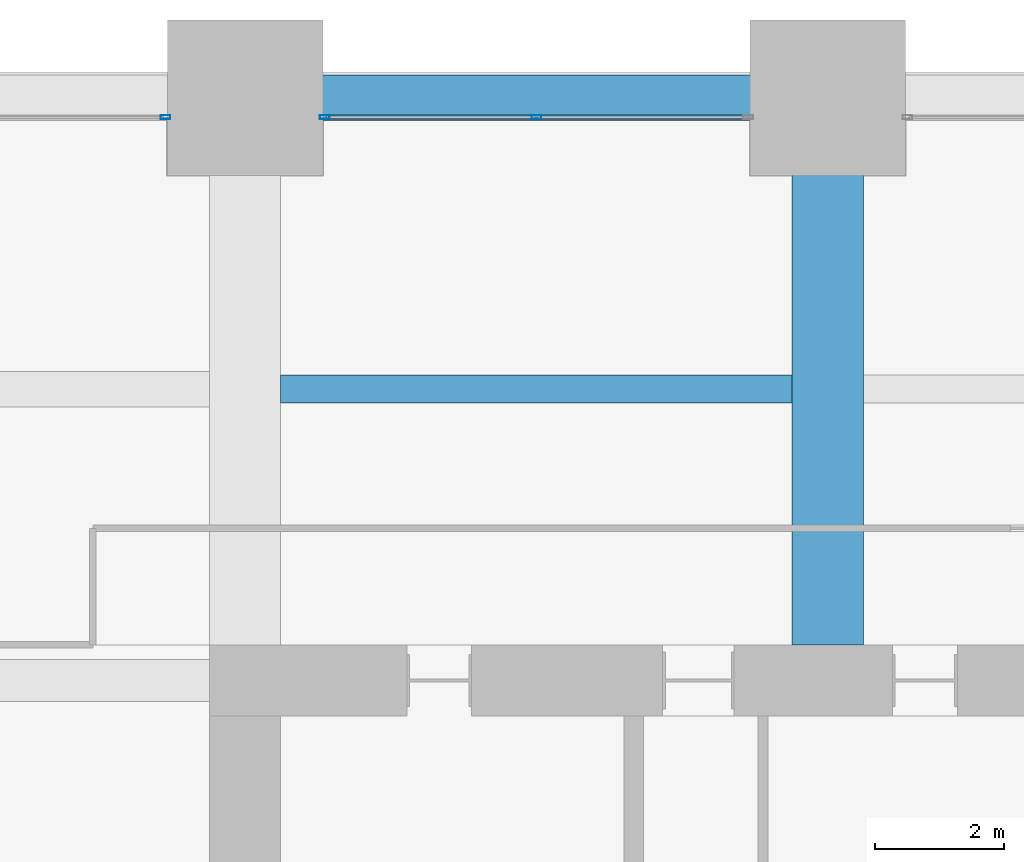
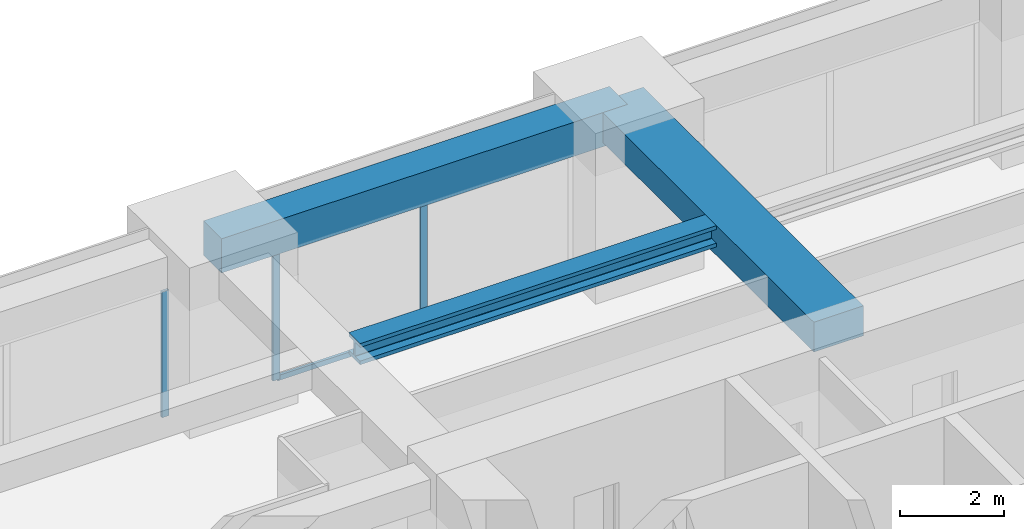
# One storey, part 24 of 34: 4 members, 3 beams, 2 elements without a shape of their own.
"""IFC4 building model written with IfcOpenShell, lengths in metres."""

from ifc_helpers import new_model, si_unit, direction, frame, origin, origin_2d, place, context, subcontext, project, spatial, rectangle, hollow_rectangle, i_section, extrude, material, material_profile, profile_set, type_object, element, aggregate, save


model = new_model("IFC4")

# Units and contexts
model_context = context("Model", 3, precision=1e-05, world=origin(), true_north=direction((0.0, 1.0)))
body_context = subcontext(model_context, "Body", "Model", "MODEL_VIEW")
ifc_project = project(units=[si_unit("LENGTHUNIT", "METRE"), si_unit("AREAUNIT", "SQUARE_METRE"), si_unit("VOLUMEUNIT", "CUBIC_METRE"), si_unit("PLANEANGLEUNIT", "RADIAN"), si_unit("MASSUNIT", "GRAM", prefix="KILO")], contexts=[model_context])

# Site, building, storey
site_placement = place(None, origin())
site = spatial("IfcSite", under=ifc_project, at=site_placement, CompositionType="ELEMENT")
building_placement = place(site_placement, origin())
building = spatial("IfcBuilding", under=site, at=building_placement, Name="Zorevar Civic Tower", CompositionType="ELEMENT")
storey_placement = place(building_placement, frame((0.0, 0.0, 174.199951171875)))
storey = spatial("IfcBuildingStorey", under=building, at=storey_placement, Name="L42", CompositionType="ELEMENT", Elevation=174.199951171875)

# Beam
ifc_material_1 = material(Name="Concrete C50/60", Category="concrete")
ifc_material_profile_1 = material_profile(ifc_material_1, rectangle(XDim=1.10009765625, YDim=0.699951171875, at=origin_2d()), Name="RC 1100x700")
ifc_profile_set_1 = profile_set([ifc_material_profile_1], Name="Concrete C50/60")
beam_type_1 = type_object("IfcBeamType", Name="Beam RC 1100x700", PredefinedType="BEAM", material=ifc_profile_set_1)
beam_1_placement = place(storey_placement, frame((27.0, 36.550048828125, 3.400146484375), z_axis=(0.0, 1.0, 0.0), x_axis=(-1.0, 0.0, 0.0)))
element("IfcBeam", 1, at=beam_1_placement, inside=storey, type_object=beam_type_1, Name="Girder L43", PredefinedType="BEAM", context=body_context, shape_type="SweptSolid", body=[
    extrude(rectangle(XDim=1.10009765625, YDim=0.699951171875, at=origin_2d()), origin(), (0.0, 0.0, 1.0), 8.449951171875),
])

# Curtain wall, member
ifc_material_2 = material(Name="Dark grey solar-control glass in black aluminium frame", Category="aluminium")
curtain_wall_type = type_object("IfcCurtainWallType", Name="Curtain wall CW4 high zone", PredefinedType="NOTDEFINED", material=ifc_material_2)
curtain_wall_1_placement = place(storey_placement, origin())
curtain_wall_1 = element("IfcCurtainWall", 2, at=curtain_wall_1_placement, inside=storey, type_object=curtain_wall_type, Name="CW4 L42", PredefinedType="NOTDEFINED")
ifc_material_3 = material(Name="Aluminium, black anodised", Category="aluminium")
ifc_material_profile_2 = material_profile(ifc_material_3, hollow_rectangle(XDim=0.06005859375, YDim=0.14990234375, WallThickness=0.00390625, at=origin_2d()), Name="AL 150x60x4")
ifc_profile_set_2 = profile_set([ifc_material_profile_2], Name="Aluminium, black anodised")
member_type_1 = type_object("IfcMemberType", Name="CW4 mullion AL 150x60x4", PredefinedType="MULLION", material=ifc_profile_set_2)
member_1_placement = place(storey_placement, frame((16.77001953125, 44.699951171875, 0.0), z_axis=(0.0, 0.0, 1.0), x_axis=(0.0, 1.0, 0.0)))
member_1 = element("IfcMember", 3, at=member_1_placement, type_object=member_type_1, Name="CW4 mullion 3", PredefinedType="MULLION", context=body_context, shape_type="SweptSolid", body=[
    extrude(hollow_rectangle(XDim=0.06005859375, YDim=0.14990234375, WallThickness=0.00390625, at=origin_2d()), origin(), (0.0, 0.0, 1.0), 2.949951171875),
])
aggregate(curtain_wall_1, [member_1])

# Curtain wall, members
curtain_wall_2_placement = place(storey_placement, origin())
curtain_wall_2 = element("IfcCurtainWall", 4, at=curtain_wall_2_placement, inside=storey, type_object=curtain_wall_type, Name="CW4 L42", PredefinedType="NOTDEFINED")
member_2_placement = place(storey_placement, frame((19.22998046875, 44.699951171875, 0.0), z_axis=(0.0, 0.0, 1.0), x_axis=(0.0, 1.0, 0.0)))
member_2 = element("IfcMember", 5, at=member_2_placement, type_object=member_type_1, Name="CW4 mullion 1", PredefinedType="MULLION", context=body_context, shape_type="SweptSolid", body=[
    extrude(hollow_rectangle(XDim=0.06005859375, YDim=0.14990234375, WallThickness=0.00390625, at=origin_2d()), origin(), (0.0, 0.0, 1.0), 2.949951171875),
])
member_3_placement = place(storey_placement, frame((22.5, 44.699951171875, 0.06005859375), z_axis=(0.0, 0.0, 1.0), x_axis=(0.0, 1.0, 0.0)))
member_3 = element("IfcMember", 6, at=member_3_placement, type_object=member_type_1, Name="CW4 mullion 2", PredefinedType="MULLION", context=body_context, shape_type="SweptSolid", body=[
    extrude(hollow_rectangle(XDim=0.06005859375, YDim=0.14990234375, WallThickness=0.00390625, at=origin_2d()), origin(), (0.0, 0.0, 1.0), 2.889892578125),
])
ifc_material_4 = material(Name="Aluminium, black anodised", Category="aluminium")
ifc_material_profile_3 = material_profile(ifc_material_4, hollow_rectangle(XDim=0.06005859375, YDim=0.1201171875, WallThickness=0.0029296875, at=origin_2d()), Name="AL 120x60x3")
ifc_profile_set_3 = profile_set([ifc_material_profile_3], Name="Aluminium, black anodised")
member_type_2 = type_object("IfcMemberType", Name="CW4 transom AL 120x60x3", PredefinedType="USERDEFINED", material=ifc_profile_set_3)
member_4_placement = place(storey_placement, frame((19.260009765625, 44.699951171875, 0.030029296875), z_axis=(1.0, 0.0, 0.0), x_axis=(0.0, 1.0, 0.0)))
member_4 = element("IfcMember", 7, at=member_4_placement, type_object=member_type_2, Name="CW4 sill transom", ObjectType="TRANSOM", PredefinedType="USERDEFINED", context=body_context, shape_type="SweptSolid", body=[
    extrude(hollow_rectangle(XDim=0.06005859375, YDim=0.1201171875, WallThickness=0.0029296875, at=origin_2d()), origin(), (0.0, 0.0, 1.0), 6.47998046875),
])
aggregate(curtain_wall_2, [member_2, member_3, member_4])

# Beams
ifc_material_5 = material(Name="Steel S460M (HISTAR 460)", Category="steel")
ifc_material_profile_4 = material_profile(ifc_material_5, i_section(OverallWidth=0.431884765625, OverallDepth=0.498046875, WebThickness=0.0556640625, FlangeThickness=0.0888671875, FilletRadius=0.014892578125, at=origin_2d()), Name="HD 400x744")
ifc_profile_set_4 = profile_set([ifc_material_profile_4], Name="Steel S460M (HISTAR 460)")
beam_type_2 = type_object("IfcBeamType", Name="Core bay beam HD 400x744", PredefinedType="BEAM", material=ifc_profile_set_4)
beam_2_placement = place(storey_placement, frame((18.550048828125, 40.5, 3.5009765625), z_axis=(1.0, 0.0, 0.0), x_axis=(0.0, 1.0, 0.0)))
element("IfcBeam", 8, at=beam_2_placement, inside=storey, type_object=beam_type_2, Name="Secondary beam L43", PredefinedType="BEAM", context=body_context, shape_type="SweptSolid", body=[
    extrude(i_section(OverallWidth=0.431884765625, OverallDepth=0.498046875, WebThickness=0.0556640625, FlangeThickness=0.0888671875, FilletRadius=0.014892578125, at=origin_2d()), origin(), (0.0, 0.0, 1.0), 7.89990234375),
])
ifc_material_6 = material(Name="Concrete C50/60", Category="concrete")
ifc_material_profile_5 = material_profile(ifc_material_6, rectangle(XDim=0.699951171875, YDim=0.800048828125, at=origin_2d()), Name="RC 700x800")
ifc_profile_set_5 = profile_set([ifc_material_profile_5], Name="Concrete C50/60")
beam_type_3 = type_object("IfcBeamType", Name="Edge beam RC 700x800", PredefinedType="SPANDREL", material=ifc_profile_set_5)
beam_3_placement = place(storey_placement, frame((18.0, 45.0, 3.35009765625), z_axis=(1.0, 0.0, 0.0), x_axis=(0.0, 1.0, 0.0)))
element("IfcBeam", 9, at=beam_3_placement, inside=storey, type_object=beam_type_3, Name="Edge beam L43", PredefinedType="SPANDREL", context=body_context, shape_type="SweptSolid", body=[
    extrude(rectangle(XDim=0.699951171875, YDim=0.800048828125, at=origin_2d()), origin(), (0.0, 0.0, 1.0), 9.0),
])

save(model, "model.ifc")
